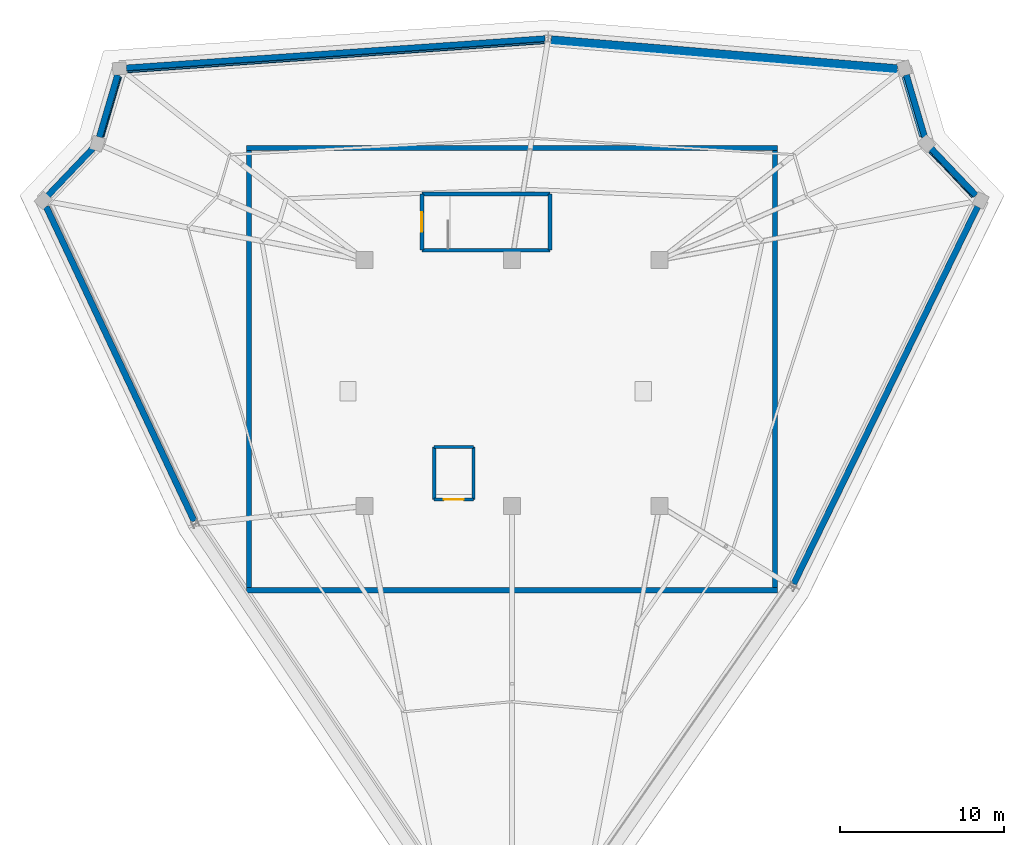
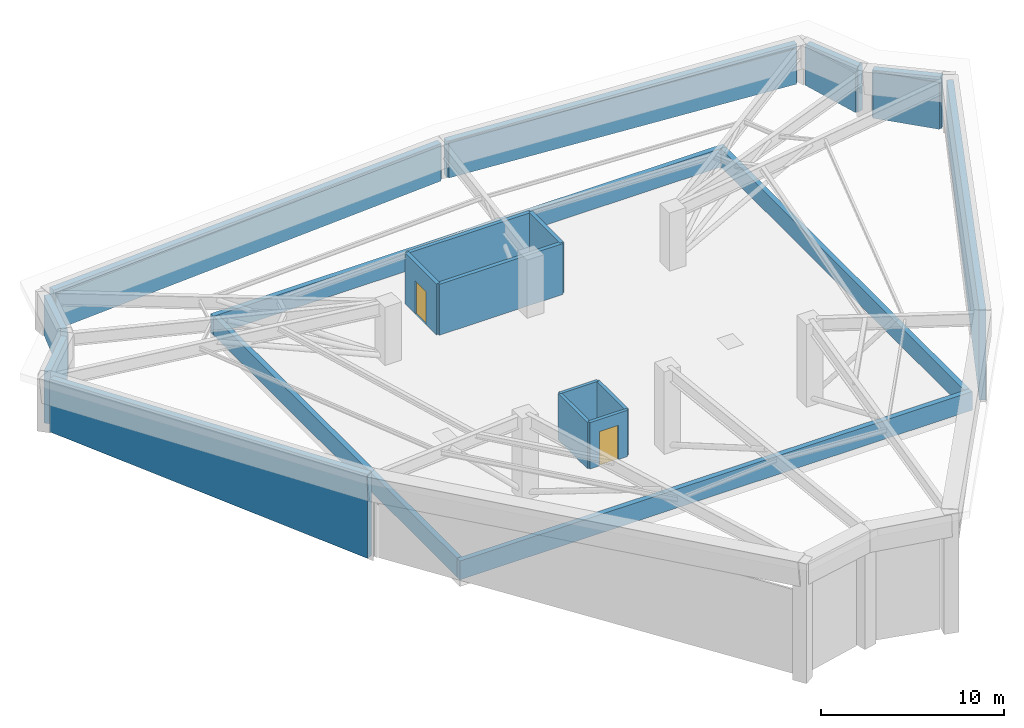
# One storey, part 5 of 6: 20 walls, 5 plates, 2 doors, 2 openings.
"""IFC4 building model written with IfcOpenShell, lengths in metres."""

from ifc_helpers import new_model, si_unit, direction, frame, frame_2d, origin, origin_2d, place, context, subcontext, project, spatial, polyline, rectangle, outline, extrude, source, transform, mapped, material, layer, layer_set, type_object, element, fill, save


model = new_model("IFC4")

# Units and contexts
model_context = context("Model", 3, precision=1e-05, world=origin(), true_north=direction((0.0, 1.0)))
body_context = subcontext(model_context, "Body", "Model", "MODEL_VIEW")
ifc_project = project(units=[si_unit("LENGTHUNIT", "METRE"), si_unit("AREAUNIT", "SQUARE_METRE"), si_unit("VOLUMEUNIT", "CUBIC_METRE"), si_unit("PLANEANGLEUNIT", "RADIAN"), si_unit("MASSUNIT", "GRAM", prefix="KILO")], contexts=[model_context])

# Site, building, storey
site_placement = place(None, origin())
site = spatial("IfcSite", under=ifc_project, at=site_placement, CompositionType="ELEMENT")
building_placement = place(site_placement, origin())
building = spatial("IfcBuilding", under=site, at=building_placement, Name="Liaohun Quay Tower", CompositionType="ELEMENT")
storey_placement = place(building_placement, frame((0.0, 0.0, 371.39990234375)))
storey = spatial("IfcBuildingStorey", under=building, at=storey_placement, Name="L95", CompositionType="ELEMENT", Elevation=371.39990234375)

# Plates
ifc_material_1 = material(Name="Insulated anodised aluminium spandrel cassette", Category="aluminium")
ifc_layer_1 = layer(ifc_material_1, 0.06005859375, Name="Insulated anodised aluminium spandrel cassette", Category="aluminium")
ifc_layer_set_1 = layer_set([ifc_layer_1], Name="Insulated anodised aluminium spandrel cassette")
plate_type_1 = type_object("IfcPlateType", Name="PLT-CWP-SPD", PredefinedType="SHEET", material=ifc_layer_set_1)
shared_shape_1 = source(origin(), body_context, "Body", "SweptSolid", [
    extrude(rectangle(XDim=3.7900390625, YDim=0.06005859375, at=origin_2d()), origin(), (0.0, 0.0, 1.0), 3.10888671875),
])
plate_1_placement = place(storey_placement, frame((86.761962890625, 66.702880859375, -0.000244140625), z_axis=(0.0, 0.0, 1.0), x_axis=(-0.68936671806, 0.724412539946, 0.0)))
element("IfcPlate", 1, at=plate_1_placement, inside=storey, type_object=plate_type_1, Name="L95 Crown Brutalist Cladding Fascia 04", PredefinedType="SHEET", context=body_context, shape_type="MappedRepresentation", body=[
    mapped(shared_shape_1, transform((0.0, 0.0, 0.0), x_axis=(1.0, 0.0, 0.0), y_axis=(0.0, 1.0, 0.0), z_axis=(0.0, 0.0, 1.0), scale=1.0)),
])
ifc_material_2 = material(Name="Precast concrete C50 bush-hammered spandrel plate", Category="concrete")
ifc_layer_2 = layer(ifc_material_2, 0.1201171875, Name="Precast concrete C50 bush-hammered spandrel plate", Category="concrete")
ifc_layer_set_2 = layer_set([ifc_layer_2], Name="Precast concrete C50 bush-hammered spandrel plate")
plate_type_2 = type_object("IfcPlateType", Name="PLT-PRC-CLAD", PredefinedType="USERDEFINED", material=ifc_layer_set_2)
shared_shape_2 = source(origin(), body_context, "Body", "SweptSolid", [
    extrude(rectangle(XDim=3.800048828125, YDim=0.1201171875, at=origin_2d()), origin(), (0.0, 0.0, 1.0), 2.62109375),
])
plate_2_placement = place(storey_placement, frame((84.381103515625, 70.8291015625, -0.00048828125), z_axis=(0.0, 0.0, 1.0), x_axis=(-0.28284371374, 0.959166009405, 0.0)))
element("IfcPlate", 2, at=plate_2_placement, inside=storey, type_object=plate_type_2, Name="L95 Crown Brutalist Cladding Fascia 05", ObjectType="CLADDING PLATE", PredefinedType="USERDEFINED", context=body_context, shape_type="MappedRepresentation", body=[
    mapped(shared_shape_2, transform((0.0, 0.0, 0.0), x_axis=(1.0, 0.0, 0.0), y_axis=(0.0, 1.0, 0.0), z_axis=(0.0, 0.0, 1.0), scale=1.0)),
])
shared_shape_3 = source(origin(), body_context, "Body", "SweptSolid", [
    extrude(rectangle(XDim=21.0380859375, YDim=0.06005859375, at=origin_2d()), origin(), (0.0, 0.0, 1.0), 2.382080078125),
])
plate_3_placement = place(storey_placement, frame((72.93798828125, 73.8740234375, 0.0), z_axis=(0.0, 0.0, 1.0), x_axis=(-0.996522007617, 0.083329996614, 0.0)))
element("IfcPlate", 3, at=plate_3_placement, inside=storey, type_object=plate_type_1, Name="L95 Crown Brutalist Cladding Fascia 06", PredefinedType="SHEET", context=body_context, shape_type="MappedRepresentation", body=[
    mapped(shared_shape_3, transform((0.0, 0.0, 0.0), x_axis=(1.0, 0.0, 0.0), y_axis=(0.0, 1.0, 0.0), z_axis=(0.0, 0.0, 1.0), scale=1.0)),
])
shared_shape_4 = source(origin(), body_context, "Body", "SweptSolid", [
    extrude(rectangle(XDim=25.44189453125, YDim=0.1201171875, at=origin_2d()), origin(), (0.0, 0.0, 1.0), 2.381103515625),
])
plate_4_placement = place(storey_placement, frame((49.263916015625, 73.867919921875, -0.00048828125), z_axis=(0.0, 0.0, 1.0), x_axis=(-0.99756405026, -0.069756473744, 0.0)))
element("IfcPlate", 4, at=plate_4_placement, inside=storey, type_object=plate_type_2, Name="L95 Crown Brutalist Cladding Fascia 07", ObjectType="CLADDING PLATE", PredefinedType="USERDEFINED", context=body_context, shape_type="MappedRepresentation", body=[
    mapped(shared_shape_4, transform((0.0, 0.0, 0.0), x_axis=(1.0, 0.0, 0.0), y_axis=(0.0, 1.0, 0.0), z_axis=(0.0, 0.0, 1.0), scale=1.0)),
])
shared_shape_5 = source(origin(), body_context, "Body", "SweptSolid", [
    extrude(rectangle(XDim=3.7900390625, YDim=0.06005859375, at=origin_2d()), origin(), (0.0, 0.0, 1.0), 2.6220703125),
])
plate_5_placement = place(storey_placement, frame((35.617919921875, 70.824951171875, 0.0), z_axis=(0.0, 0.0, 1.0), x_axis=(-0.28284371374, -0.959166009405, 0.0)))
element("IfcPlate", 5, at=plate_5_placement, inside=storey, type_object=plate_type_1, Name="L95 Crown Brutalist Cladding Fascia 08", PredefinedType="SHEET", context=body_context, shape_type="MappedRepresentation", body=[
    mapped(shared_shape_5, transform((0.0, 0.0, 0.0), x_axis=(1.0, 0.0, 0.0), y_axis=(0.0, 1.0, 0.0), z_axis=(0.0, 0.0, 1.0), scale=1.0)),
])

# Walls
ifc_material_3 = material(Name="Precast concrete C50 insulated sandwich", Category="concrete")
ifc_layer_3 = layer(ifc_material_3, 0.3798828125, Name="Precast concrete C50 insulated sandwich", Category="concrete")
ifc_layer_set_3 = layer_set([ifc_layer_3], Name="Precast concrete C50 insulated sandwich")
wall_type_1 = type_object("IfcWallType", Name="WAL-EXT-Z34", PredefinedType="SOLIDWALL", material=ifc_layer_set_3)
wall_1_placement = place(storey_placement, frame((77.177978515625, 41.7529296875, 0.0), z_axis=(0.0, 0.0, 1.0), x_axis=(0.438361442904, 0.898798779135, 0.0)))
element("IfcWall", 6, at=wall_1_placement, inside=storey, type_object=wall_type_1, Name="L95 Sloped Crown Precast Fascia Wall 03", PredefinedType="SOLIDWALL", context=body_context, shape_type="SweptSolid", body=[
    extrude(outline(polyline([(0.0, 0.0), (25.60205078125, 0.0), (25.60205078125, 3.533203125), (0.0, 6.032958984375), (0.0, 0.0)])), frame((0.0, 0.18994140625, 0.0), z_axis=(0.0, -1.0, 0.0), x_axis=(1.0, 0.0, 0.0)), (0.0, 0.0, 1.0), 0.3798828125),
])
wall_2_placement = place(storey_placement, frame((88.297119140625, 65.43798828125, 0.0), z_axis=(0.0, 0.0, 1.0), x_axis=(-0.689429800436, 0.724352504152, 0.0)))
element("IfcWall", 7, at=wall_2_placement, inside=storey, type_object=wall_type_1, Name="L95 Sloped Crown Precast Fascia Wall 04", PredefinedType="SOLIDWALL", context=body_context, shape_type="SweptSolid", body=[
    extrude(outline(polyline([(0.0, 0.0), (3.949951171875, 0.0), (3.949951171875, 3.1494140625), (0.0, 3.460205078125), (0.0, 0.0)])), frame((0.0, 0.18994140625, 0.0), z_axis=(0.0, -1.0, 0.0), x_axis=(1.0, 0.0, 0.0)), (0.0, 0.0, 1.0), 0.3798828125),
])
wall_3_placement = place(storey_placement, frame((85.1708984375, 68.998046875, 0.0), z_axis=(0.0, 0.0, 1.0), x_axis=(-0.282830565061, 0.959169886656, 0.0)))
element("IfcWall", 8, at=wall_3_placement, inside=storey, type_object=wall_type_1, Name="L95 Sloped Crown Precast Fascia Wall 05", PredefinedType="SOLIDWALL", context=body_context, shape_type="SweptSolid", body=[
    extrude(outline(polyline([(0.0, 0.0), (3.95947265625, 0.0), (3.9599609375, 2.660888671875), (0.0, 3.0732421875), (0.0, 0.0)])), frame((0.0, 0.18994140625, 0.0), z_axis=(0.0, -1.0, 0.0), x_axis=(1.0, 0.0, 0.0)), (0.0, 0.0, 1.0), 0.3798828125),
])
wall_4_placement = place(storey_placement, frame((83.52001953125, 73.22900390625, 0.0), z_axis=(0.0, 0.0, 1.0), x_axis=(-0.996515509378, 0.083407670923, 0.0)))
element("IfcWall", 9, at=wall_4_placement, inside=storey, type_object=wall_type_1, Name="L95 Sloped Crown Precast Fascia Wall 06", PredefinedType="SOLIDWALL", context=body_context, shape_type="SweptSolid", body=[
    extrude(outline(polyline([(0.0, 0.0), (21.197998046875, 0.0), (21.197998046875, 2.421630859375), (0.0, 2.61376953125), (0.0, 0.0)])), frame((0.0, 0.18994140625, 0.0), z_axis=(0.0, -1.0, 0.0), x_axis=(1.0, 0.0, 0.0)), (0.0, 0.0, 1.0), 0.3798828125),
])
wall_5_placement = place(storey_placement, frame((62.01708984375, 75.0, 0.0), z_axis=(0.0, 0.0, 1.0), x_axis=(-0.997564172123, -0.069754730997, 0.0)))
element("IfcWall", 10, at=wall_5_placement, inside=storey, type_object=wall_type_1, Name="L95 Sloped Crown Precast Fascia Wall 07", PredefinedType="SOLIDWALL", context=body_context, shape_type="SweptSolid", body=[
    extrude(outline(polyline([(0.0, 0.0), (25.602294921875, 0.0), (25.60205078125, 2.615478515625), (0.0, 2.42138671875), (0.0, 0.0)])), frame((0.0, 0.18994140625, 0.0), z_axis=(0.0, -1.0, 0.0), x_axis=(1.0, 0.0, 0.0)), (0.0, 0.0, 1.0), 0.3798828125),
])
wall_6_placement = place(storey_placement, frame((35.946044921875, 72.787109375, 0.0), z_axis=(0.0, 0.0, 1.0), x_axis=(-0.282751831767, -0.959193099241, 0.0)))
element("IfcWall", 11, at=wall_6_placement, inside=storey, type_object=wall_type_1, Name="L95 Sloped Crown Precast Fascia Wall 08", PredefinedType="SOLIDWALL", context=body_context, shape_type="SweptSolid", body=[
    extrude(outline(polyline([(0.0, 0.0), (3.9501953125, 0.0), (3.949951171875, 3.0732421875), (0.0, 2.66162109375), (0.0, 0.0)])), frame((0.0, 0.18994140625, 0.0), z_axis=(0.0, -1.0, 0.0), x_axis=(1.0, 0.0, 0.0)), (0.0, 0.0, 1.0), 0.3798828125),
])
wall_7_placement = place(storey_placement, frame((34.426025390625, 68.299072265625, 0.0), z_axis=(0.0, 0.0, 1.0), x_axis=(-0.689436444491, -0.724346180364, 0.0)))
element("IfcWall", 12, at=wall_7_placement, inside=storey, type_object=wall_type_1, Name="L95 Sloped Crown Precast Fascia Wall 09", PredefinedType="SOLIDWALL", context=body_context, shape_type="SweptSolid", body=[
    extrude(outline(polyline([(0.0, 0.0), (3.958251953125, 0.0), (3.9580078125, 3.460693359375), (0.0, 3.1494140625), (0.0, 0.0)])), frame((0.0, 0.18994140625, 0.0), z_axis=(0.0, -1.0, 0.0), x_axis=(1.0, 0.0, 0.0)), (0.0, 0.0, 1.0), 0.3798828125),
])
wall_8_placement = place(storey_placement, frame((31.587890625, 64.756103515625, 0.0), z_axis=(0.0, 0.0, 1.0), x_axis=(0.425971737863, -0.904736469112, 0.0)))
element("IfcWall", 13, at=wall_8_placement, inside=storey, type_object=wall_type_1, Name="L95 Sloped Crown Precast Fascia Wall 10", PredefinedType="SOLIDWALL", context=body_context, shape_type="SweptSolid", body=[
    extrude(outline(polyline([(0.0, 0.0), (21.19873046875, 0.0), (21.197998046875, 5.61767578125), (0.0, 3.5341796875), (0.0, 0.0)])), frame((0.0, 0.18994140625, 0.0), z_axis=(0.0, -1.0, 0.0), x_axis=(1.0, 0.0, 0.0)), (0.0, 0.0, 1.0), 0.3798828125),
])
ifc_material_4 = material(Name="Precast concrete C50", Category="concrete")
ifc_layer_4 = layer(ifc_material_4, 0.320068359375, Name="Precast concrete C50", Category="concrete")
ifc_layer_set_4 = layer_set([ifc_layer_4], Name="Precast concrete C50")
wall_type_2 = type_object("IfcWallType", Name="WAL-PAR-320", PredefinedType="PARAPET", material=ifc_layer_set_4)
wall_9_placement = place(storey_placement, frame((43.800048828125, 41.360107421875, 0.0), z_axis=(0.0, 0.0, 1.0), x_axis=(1.0, 0.0, 0.0)))
element("IfcWall", 14, at=wall_9_placement, inside=storey, type_object=wall_type_2, Name="L95 Mechanical Roof Parapet Wall PW-1-01", PredefinedType="PARAPET", context=body_context, shape_type="SweptSolid", body=[
    extrude(rectangle(XDim=32.39990234375, YDim=0.320068359375, at=frame_2d((16.199951171875, 0.0))), origin(), (0.0, 0.0, 1.0), 1.25),
])
wall_10_placement = place(storey_placement, frame((76.0400390625, 41.530029296875, 0.0), z_axis=(0.0, 0.0, 1.0), x_axis=(0.0, 1.0, 0.0)))
element("IfcWall", 15, at=wall_10_placement, inside=storey, type_object=wall_type_2, Name="L95 Mechanical Roof Parapet Wall PW-1-02", PredefinedType="PARAPET", context=body_context, shape_type="SweptSolid", body=[
    extrude(rectangle(XDim=26.639892578125, YDim=0.320068359375, at=frame_2d((13.31982421875, 0.0))), origin(), (0.0, 0.0, 1.0), 1.25),
])
wall_11_placement = place(storey_placement, frame((76.199951171875, 68.340087890625, 0.0), z_axis=(0.0, 0.0, 1.0), x_axis=(-1.0, 0.0, 0.0)))
element("IfcWall", 16, at=wall_11_placement, inside=storey, type_object=wall_type_2, Name="L95 Mechanical Roof Parapet Wall PW-1-03", PredefinedType="PARAPET", context=body_context, shape_type="SweptSolid", body=[
    extrude(rectangle(XDim=32.39990234375, YDim=0.320068359375, at=frame_2d((16.199951171875, 0.0))), origin(), (0.0, 0.0, 1.0), 1.25),
])
wall_12_placement = place(storey_placement, frame((43.9599609375, 68.169921875, 0.0), z_axis=(0.0, 0.0, 1.0), x_axis=(0.0, -1.0, 0.0)))
element("IfcWall", 17, at=wall_12_placement, inside=storey, type_object=wall_type_2, Name="L95 Mechanical Roof Parapet Wall PW-1-04", PredefinedType="PARAPET", context=body_context, shape_type="SweptSolid", body=[
    extrude(rectangle(XDim=26.639892578125, YDim=0.320068359375, at=frame_2d((13.31982421875, 0.0))), origin(), (0.0, 0.0, 1.0), 1.25),
])
ifc_material_5 = material(Name="Concrete C50", Category="concrete")
ifc_layer_5 = layer(ifc_material_5, 0.239990234375, Name="Concrete C50", Category="concrete")
ifc_layer_set_5 = layer_set([ifc_layer_5], Name="Concrete C50")
wall_type_3 = type_object("IfcWallType", Name="WAL-SHF-200", PredefinedType="SOLIDWALL", material=ifc_layer_set_5)
wall_13_placement = place(storey_placement, frame((54.5, 62.10009765625, 0.0), z_axis=(0.0, 0.0, 1.0), x_axis=(1.0, 0.0, 0.0)))
element("IfcWall", 18, at=wall_13_placement, inside=storey, type_object=wall_type_3, Name="L95 Stairwell ST-3 Structural Core Wall S", PredefinedType="SOLIDWALL", context=body_context, shape_type="SweptSolid", body=[
    extrude(rectangle(XDim=7.820068359375, YDim=0.239990234375, at=frame_2d((3.91015625, 0.0))), origin(), (0.0, 0.0, 1.0), 3.400146484375),
])
wall_14_placement = place(storey_placement, frame((62.320068359375, 62.10009765625, 0.0), z_axis=(0.0, 0.0, 1.0), x_axis=(0.0, 1.0, 0.0)))
element("IfcWall", 19, at=wall_14_placement, inside=storey, type_object=wall_type_3, Name="L95 Stairwell ST-3 Structural Core Wall E", PredefinedType="SOLIDWALL", context=body_context, shape_type="SweptSolid", body=[
    extrude(rectangle(XDim=3.43994140625, YDim=0.239990234375, at=frame_2d((1.719970703125, 0.0))), origin(), (0.0, 0.0, 1.0), 3.400146484375),
])
wall_15_placement = place(storey_placement, frame((62.320068359375, 65.5400390625, 0.0), z_axis=(0.0, 0.0, 1.0), x_axis=(-1.0, 0.0, 0.0)))
element("IfcWall", 20, at=wall_15_placement, inside=storey, type_object=wall_type_3, Name="L95 Stairwell ST-3 Structural Core Wall N", PredefinedType="SOLIDWALL", context=body_context, shape_type="SweptSolid", body=[
    extrude(rectangle(XDim=7.820068359375, YDim=0.239990234375, at=frame_2d((3.91015625, 0.0))), origin(), (0.0, 0.0, 1.0), 3.400146484375),
])

# Wall, opening, door
wall_16_placement = place(storey_placement, frame((54.5, 65.5400390625, 0.0), z_axis=(0.0, 0.0, 1.0), x_axis=(0.0, -1.0, 0.0)))
wall_16 = element("IfcWall", 21, at=wall_16_placement, inside=storey, type_object=wall_type_3, Name="L95 Stairwell ST-3 Structural Core Wall W", PredefinedType="SOLIDWALL", context=body_context, shape_type="SweptSolid", body=[
    extrude(rectangle(XDim=3.43994140625, YDim=0.239990234375, at=frame_2d((1.719970703125, 0.0))), origin(), (0.0, 0.0, 1.0), 3.400146484375),
])
shared_shape_6 = source(origin(), body_context, "Body", "SweptSolid", [
    extrude(rectangle(XDim=1.199951171875, YDim=2.199951171875, at=frame_2d((0.60009765625, 1.10009765625))), frame((0.0, 0.1298828125, 0.0), z_axis=(0.0, -1.0, 0.0), x_axis=(1.0, 0.0, 0.0)), (0.0, 0.0, 1.0), 0.260009765625),
])
opening_1_placement = place(wall_16_placement, frame((1.1201171875, 0.0, 0.0)))
opening_1 = element("IfcOpeningElement", 22, at=opening_1_placement, cuts=wall_16, Name="Opening SD1", PredefinedType="OPENING", context=body_context, shape_type="MappedRepresentation", body=[
    mapped(shared_shape_6, transform((0.0, 0.0, 0.0), x_axis=(1.0, 0.0, 0.0), y_axis=(0.0, 1.0, 0.0), z_axis=(0.0, 0.0, 1.0), scale=1.0)),
])
ifc_material_6 = material(Name="Galvanised steel fire door", Category="steel")
door_type_1 = type_object("IfcDoorType", Name="DOR-STR-1200", OperationType="NOTDEFINED", PredefinedType="DOOR", material=ifc_material_6)
shared_shape_7 = source(origin(), body_context, "Body", "SweptSolid", [
    extrude(rectangle(XDim=1.199951171875, YDim=2.199951171875, at=frame_2d((0.60009765625, 1.10009765625))), frame((0.0, 0.02490234375, 0.0), z_axis=(0.0, -1.0, 0.0), x_axis=(1.0, 0.0, 0.0)), (0.0, 0.0, 1.0), 0.050048828125),
])
door_1_placement = place(opening_1_placement, origin())
door_1 = element("IfcDoor", 23, at=door_1_placement, inside=storey, type_object=door_type_1, Name="L95 Protected Stair ST-3 Fire Door", OperationType="SINGLE_SWING_RIGHT", OverallHeight=2.199951171875, OverallWidth=1.199951171875, PredefinedType="DOOR", context=body_context, shape_type="MappedRepresentation", body=[
    mapped(shared_shape_7, transform((0.0, 0.0, 0.0), x_axis=(1.0, 0.0, 0.0), y_axis=(0.0, 1.0, 0.0), z_axis=(0.0, 0.0, 1.0), scale=1.0)),
])
fill(opening_1, door_1)

wall_17_placement = place(storey_placement, frame((55.25, 46.89990234375, 0.0), z_axis=(0.0, 0.0, 1.0), x_axis=(1.0, 0.0, 0.0)))
wall_17 = element("IfcWall", 24, at=wall_17_placement, inside=storey, type_object=wall_type_3, Name="L95 Lift FF-01 Hoistway Wall S", PredefinedType="SOLIDWALL", context=body_context, shape_type="SweptSolid", body=[
    extrude(rectangle(XDim=2.39990234375, YDim=0.199951171875, at=frame_2d((1.199951171875, 0.0))), origin(), (0.0, 0.0, 1.0), 3.10009765625),
])
shared_shape_8 = source(origin(), body_context, "Body", "SweptSolid", [
    extrude(rectangle(XDim=1.199951171875, YDim=2.300048828125, at=frame_2d((0.60009765625, 1.14990234375))), frame((0.0, 0.10986328125, 0.0), z_axis=(0.0, -1.0, 0.0), x_axis=(1.0, 0.0, 0.0)), (0.0, 0.0, 1.0), 0.219970703125),
])
opening_2_placement = place(wall_17_placement, frame((0.60009765625, 0.0, 0.0)))
opening_2 = element("IfcOpeningElement", 25, at=opening_2_placement, cuts=wall_17, Name="Opening LD2", PredefinedType="OPENING", context=body_context, shape_type="MappedRepresentation", body=[
    mapped(shared_shape_8, transform((0.0, 0.0, 0.0), x_axis=(1.0, 0.0, 0.0), y_axis=(0.0, 1.0, 0.0), z_axis=(0.0, 0.0, 1.0), scale=1.0)),
])
ifc_material_7 = material(Name="Brushed stainless steel stretcher landing door", Category="steel")
door_type_2 = type_object("IfcDoorType", Name="DOR-LFT-1200", OperationType="SLIDING_TO_LEFT", PredefinedType="DOOR", material=ifc_material_7)
shared_shape_9 = source(origin(), body_context, "Body", "SweptSolid", [
    extrude(rectangle(XDim=1.199951171875, YDim=2.300048828125, at=frame_2d((0.60009765625, 1.14990234375))), frame((0.0, 0.02490234375, 0.0), z_axis=(0.0, -1.0, 0.0), x_axis=(1.0, 0.0, 0.0)), (0.0, 0.0, 1.0), 0.050048828125),
])
door_2_placement = place(opening_2_placement, origin())
door_2 = element("IfcDoor", 26, at=door_2_placement, inside=storey, type_object=door_type_2, Name="L95 Lift FF-01 Sliding Landing Door", OperationType="SLIDING_TO_LEFT", OverallHeight=2.300048828125, OverallWidth=1.199951171875, PredefinedType="DOOR", context=body_context, shape_type="MappedRepresentation", body=[
    mapped(shared_shape_9, transform((0.0, 0.0, 0.0), x_axis=(1.0, 0.0, 0.0), y_axis=(0.0, 1.0, 0.0), z_axis=(0.0, 0.0, 1.0), scale=1.0)),
])
fill(opening_2, door_2)

# Walls
wall_18_placement = place(storey_placement, frame((57.64990234375, 46.89990234375, 0.0), z_axis=(0.0, 0.0, 1.0), x_axis=(0.0, 1.0, 0.0)))
element("IfcWall", 27, at=wall_18_placement, inside=storey, type_object=wall_type_3, Name="L95 Lift FF-01 Hoistway Wall E", PredefinedType="SOLIDWALL", context=body_context, shape_type="SweptSolid", body=[
    extrude(rectangle(XDim=3.2001953125, YDim=0.199951171875, at=frame_2d((1.60009765625, 0.0))), origin(), (0.0, 0.0, 1.0), 3.10009765625),
])
wall_19_placement = place(storey_placement, frame((57.64990234375, 50.10009765625, 0.0), z_axis=(0.0, 0.0, 1.0), x_axis=(-1.0, 0.0, 0.0)))
element("IfcWall", 28, at=wall_19_placement, inside=storey, type_object=wall_type_3, Name="L95 Lift FF-01 Hoistway Wall N", PredefinedType="SOLIDWALL", context=body_context, shape_type="SweptSolid", body=[
    extrude(rectangle(XDim=2.39990234375, YDim=0.199951171875, at=frame_2d((1.199951171875, 0.0))), origin(), (0.0, 0.0, 1.0), 3.10009765625),
])
wall_20_placement = place(storey_placement, frame((55.25, 50.10009765625, 0.0), z_axis=(0.0, 0.0, 1.0), x_axis=(0.0, -1.0, 0.0)))
element("IfcWall", 29, at=wall_20_placement, inside=storey, type_object=wall_type_3, Name="L95 Lift FF-01 Hoistway Wall W", PredefinedType="SOLIDWALL", context=body_context, shape_type="SweptSolid", body=[
    extrude(rectangle(XDim=3.2001953125, YDim=0.199951171875, at=frame_2d((1.60009765625, 0.0))), origin(), (0.0, 0.0, 1.0), 3.10009765625),
])

save(model, "model.ifc")
